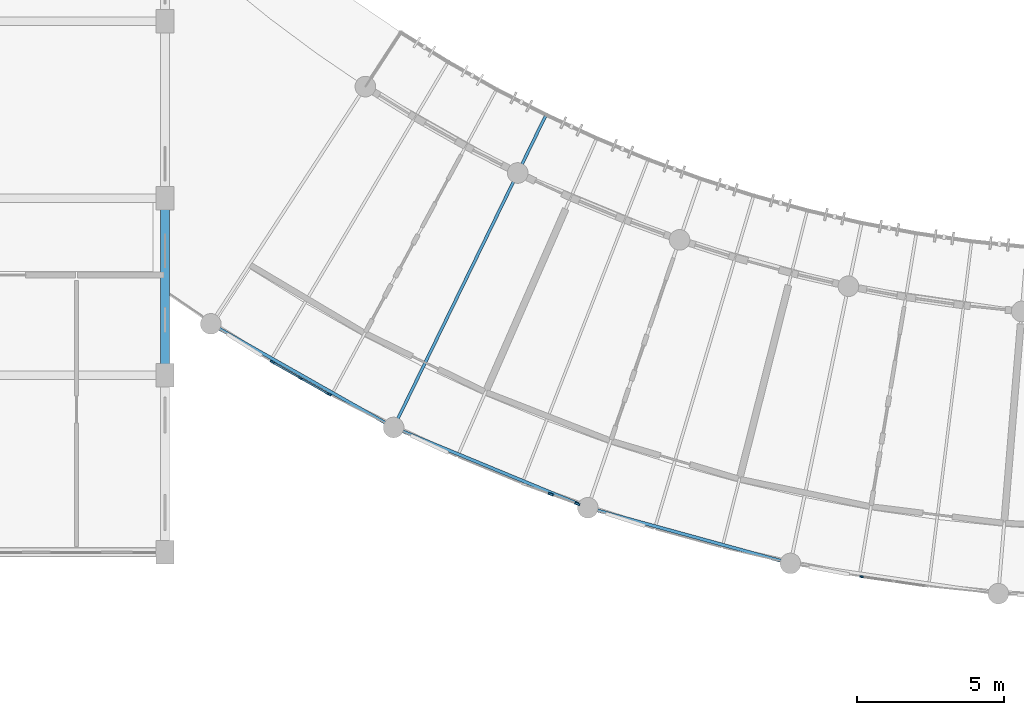
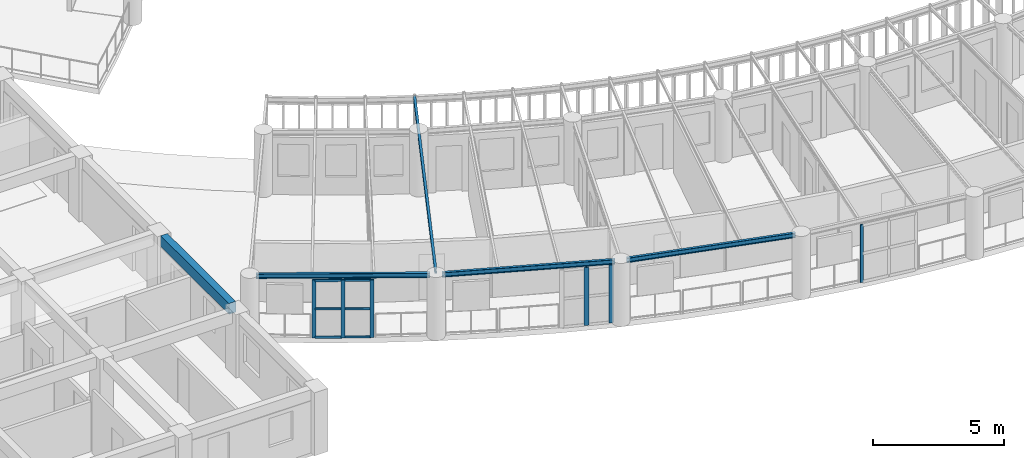
# One storey, part 15 of 137: 12 members, 5 beams, 3 elements without a shape of their own.
"""IFC4 building model written with IfcOpenShell, lengths in metres."""

from ifc_helpers import new_model, si_unit, direction, frame, origin, origin_2d, place, context, subcontext, project, spatial, rectangle, i_section, extrude, material, layer, layer_set, material_profile, profile_set, type_object, element, aggregate, save


model = new_model("IFC4")

# Units and contexts
model_context = context("Model", 3, precision=1e-05, world=origin(), true_north=direction((0.0, 1.0)))
body_context = subcontext(model_context, "Body", "Model", "MODEL_VIEW")
ifc_project = project(units=[si_unit("LENGTHUNIT", "METRE"), si_unit("AREAUNIT", "SQUARE_METRE"), si_unit("VOLUMEUNIT", "CUBIC_METRE"), si_unit("PLANEANGLEUNIT", "RADIAN"), si_unit("MASSUNIT", "GRAM", prefix="KILO"), si_unit("POWERUNIT", "WATT"), si_unit("THERMODYNAMICTEMPERATUREUNIT", "KELVIN")], contexts=[model_context])

# Site, building, storey
site_placement = place(None, origin())
site = spatial("IfcSite", under=ifc_project, at=site_placement, CompositionType="ELEMENT")
building_placement = place(site_placement, origin())
building = spatial("IfcBuilding", under=site, at=building_placement, Name="Ruvembo Vaulted Housing Court", CompositionType="ELEMENT")
storey_placement = place(building_placement, frame((0.0, 0.0, 4.5)))
storey = spatial("IfcBuildingStorey", under=building, at=storey_placement, Name="L01", CompositionType="ELEMENT", Elevation=4.5)

# Beams
ifc_material_1 = material(Name="Steel S355J2", Category="steel")
ifc_material_profile_1 = material_profile(ifc_material_1, i_section(OverallWidth=0.10009765625, OverallDepth=0.199951171875, WebThickness=0.005615234375, FlangeThickness=0.008544921875, FilletRadius=0.011962890625, at=origin_2d()), Name="IPE 200")
ifc_profile_set_1 = profile_set([ifc_material_profile_1], Name="Steel S355J2")
beam_type_1 = type_object("IfcBeamType", Name="BM-ST-IPE200", PredefinedType="BEAM", material=ifc_profile_set_1)
beam_1_placement = place(storey_placement, frame((43.8505859375, 10.436279296875, 2.840087890625), z_axis=(0.438385100915, 0.898787240283, 0.0), x_axis=(-0.898787240283, 0.438385100915, 0.0)))
element("IfcBeam", 1, at=beam_1_placement, inside=storey, type_object=beam_type_1, Name="Scoop SC2 L01 Radial Steel Joist 3", PredefinedType="BEAM", context=body_context, shape_type="SweptSolid", body=[
    extrude(i_section(OverallWidth=0.10009765625, OverallDepth=0.199951171875, WebThickness=0.005615234375, FlangeThickness=0.008544921875, FilletRadius=0.011962890625, at=origin_2d()), origin(), (0.0, 0.0, 1.0), 11.60986328125),
])
ifc_material_profile_2 = material_profile(ifc_material_1, i_section(OverallWidth=0.110107421875, OverallDepth=0.219970703125, WebThickness=0.005859375, FlangeThickness=0.00927734375, FilletRadius=0.011962890625, at=origin_2d()), Name="IPE 220")
ifc_profile_set_2 = profile_set([ifc_material_profile_2], Name="Steel S355J2")
beam_type_2 = type_object("IfcBeamType", Name="BM-ST-IPE220", PredefinedType="SPANDREL", material=ifc_profile_set_2)
for number, where, z_axis, x_axis, name in (
    (2, (37.752197265625, 13.62890625, 2.83203125), (0.869984993181, -0.493078200329, 0.0), (0.493078200329, 0.869984993181, 0.0), "Scoop SC2 L01 Chord Girder B0"),
    (3, (43.96240234375, 10.1416015625, 2.83203125), (0.924176536215, -0.381965613517, 0.0), (0.381965613517, 0.924176536215, 0.0), "Scoop SC2 L01 Chord Girder B3"),
):
    element("IfcBeam", number, at=place(storey_placement, frame(where, z_axis=z_axis, x_axis=x_axis)), inside=storey, type_object=beam_type_2, Name=name, PredefinedType="SPANDREL", context=body_context, shape_type="SweptSolid", body=[
        extrude(i_section(OverallWidth=0.110107421875, OverallDepth=0.219970703125, WebThickness=0.005859375, FlangeThickness=0.00927734375, FilletRadius=0.011962890625, at=origin_2d()), origin(), (0.0, 0.0, 1.0), 6.6640625),
    ])
beam_2_placement = place(storey_placement, frame((50.555419921875, 7.447509765625, 2.83203125), z_axis=(0.964261570592, -0.264952115445, 0.0), x_axis=(0.264952115445, 0.964261570592, 0.0)))
element("IfcBeam", 4, at=beam_2_placement, inside=storey, type_object=beam_type_2, Name="Scoop SC2 L01 Chord Girder B6", PredefinedType="SPANDREL", context=body_context, shape_type="SweptSolid", body=[
    extrude(i_section(OverallWidth=0.110107421875, OverallDepth=0.219970703125, WebThickness=0.005859375, FlangeThickness=0.00927734375, FilletRadius=0.011962890625, at=origin_2d()), origin(), (0.0, 0.0, 1.0), 6.663818359375),
])

# Curtain wall, member
ifc_material_2 = material(Name="Anodised Aluminium and Solar-Control Glass", Category="aluminium")
ifc_layer_1 = layer(ifc_material_2, 0.139892578125, Name="Anodised Aluminium and Solar-Control Glass")
ifc_layer_set_1 = layer_set([ifc_layer_1], Name="Anodised Aluminium and Solar-Control Glass")
curtain_wall_type_1 = type_object("IfcCurtainWallType", Name="CW-SCOOP-PAN", PredefinedType="NOTDEFINED", material=ifc_layer_set_1)
curtain_wall_1_placement = place(storey_placement, origin())
curtain_wall_1 = element("IfcCurtainWall", 5, at=curtain_wall_1_placement, inside=storey, type_object=curtain_wall_type_1, Name="L01 Curtain Wall CW-L01-0031", PredefinedType="NOTDEFINED")
ifc_material_3 = material(Name="Anodised Aluminium 6063-T6", Category="aluminium")
ifc_material_profile_3 = material_profile(ifc_material_3, rectangle(XDim=0.054931640625, YDim=0.1201171875, at=origin_2d()), Name="ALU 55x120")
ifc_profile_set_3 = profile_set([ifc_material_profile_3], Name="Anodised Aluminium 6063-T6")
member_type_1 = type_object("IfcMemberType", Name="CW-MUL-55x120", PredefinedType="MULLION", material=ifc_profile_set_3)
member_1_placement = place(storey_placement, frame((59.614990234375, 5.171142578125, 0.0), z_axis=(0.0, 0.0, 1.0), x_axis=(0.143850661969, 0.989599407362, 0.0)))
member_1 = element("IfcMember", 6, at=member_1_placement, type_object=member_type_1, Name="CW10 mullion 1", PredefinedType="MULLION", context=body_context, shape_type="SweptSolid", body=[
    extrude(rectangle(XDim=0.054931640625, YDim=0.1201171875, at=origin_2d()), origin(), (0.0, 0.0, 1.0), 2.697998046875),
])
aggregate(curtain_wall_1, [member_1])

# Curtain wall, members
ifc_layer_2 = layer(ifc_material_2, 0.1201171875, Name="Anodised Aluminium and Solar-Control Glass")
ifc_layer_set_2 = layer_set([ifc_layer_2], Name="Anodised Aluminium and Solar-Control Glass")
curtain_wall_type_2 = type_object("IfcCurtainWallType", Name="CW-SCOOP-GAL", PredefinedType="NOTDEFINED", material=ifc_layer_set_2)
curtain_wall_2_placement = place(storey_placement, origin())
curtain_wall_2 = element("IfcCurtainWall", 7, at=curtain_wall_2_placement, inside=storey, type_object=curtain_wall_type_2, Name="L01 Curtain Wall CW-L01-0030", PredefinedType="NOTDEFINED")
ifc_material_profile_4 = material_profile(ifc_material_3, rectangle(XDim=0.06494140625, YDim=0.179931640625, at=origin_2d()), Name="ALU 65x180")
ifc_profile_set_4 = profile_set([ifc_material_profile_4], Name="Anodised Aluminium 6063-T6")
member_type_2 = type_object("IfcMemberType", Name="CW-MUL-65x180", PredefinedType="MULLION", material=ifc_profile_set_4)
member_2_placement = place(storey_placement, frame((49.0771484375, 7.968017578125, 0.0), z_axis=(0.0, 0.0, 1.0), x_axis=(0.343530364672, 0.939141570025, 0.0)))
member_2 = element("IfcMember", 8, at=member_2_placement, type_object=member_type_2, Name="CW6 mullion 2", PredefinedType="MULLION", context=body_context, shape_type="SweptSolid", body=[
    extrude(rectangle(XDim=0.06494140625, YDim=0.179931640625, at=origin_2d()), origin(), (0.0, 0.0, 1.0), 2.697998046875),
])
member_3_placement = place(storey_placement, frame((49.974365234375, 7.6396484375, 0.0), z_axis=(0.0, 0.0, 1.0), x_axis=(0.343530364672, 0.939141570025, 0.0)))
member_3 = element("IfcMember", 9, at=member_3_placement, type_object=member_type_2, Name="CW6 mullion 3", PredefinedType="MULLION", context=body_context, shape_type="SweptSolid", body=[
    extrude(rectangle(XDim=0.06494140625, YDim=0.179931640625, at=origin_2d()), origin(), (0.0, 0.0, 1.0), 2.697998046875),
])
aggregate(curtain_wall_2, [member_2, member_3])

curtain_wall_3_placement = place(storey_placement, origin())
curtain_wall_3 = element("IfcCurtainWall", 10, at=curtain_wall_3_placement, inside=storey, type_object=curtain_wall_type_2, Name="L01 Curtain Wall CW-L01-0029", PredefinedType="NOTDEFINED")
ifc_material_profile_5 = material_profile(ifc_material_3, rectangle(XDim=0.06005859375, YDim=0.159912109375, at=origin_2d()), Name="ALU 60x160")
ifc_profile_set_5 = profile_set([ifc_material_profile_5], Name="Anodised Aluminium 6063-T6")
member_type_3 = type_object("IfcMemberType", Name="CW-MULLION-65x150", PredefinedType="MULLION", material=ifc_profile_set_5)
member_4_placement = place(storey_placement, frame((39.638916015625, 12.447021484375, 0.0), z_axis=(0.0, 0.0, 1.0), x_axis=(0.493079088202, 0.869984489964, 0.0)))
member_4 = element("IfcMember", 11, at=member_4_placement, type_object=member_type_3, Name="CW6 mullion 1", PredefinedType="MULLION", context=body_context, shape_type="SweptSolid", body=[
    extrude(rectangle(XDim=0.06005859375, YDim=0.159912109375, at=origin_2d()), origin(), (0.0, 0.0, 1.0), 2.697998046875),
])
member_5_placement = place(storey_placement, frame((40.602783203125, 11.900634765625, 0.0), z_axis=(0.0, 0.0, 1.0), x_axis=(0.493079088202, 0.869984489964, 0.0)))
member_5 = element("IfcMember", 12, at=member_5_placement, type_object=member_type_3, Name="CW6 mullion 2", PredefinedType="MULLION", context=body_context, shape_type="SweptSolid", body=[
    extrude(rectangle(XDim=0.06005859375, YDim=0.159912109375, at=origin_2d()), origin(), (0.0, 0.0, 1.0), 2.697998046875),
])
member_6_placement = place(storey_placement, frame((41.566650390625, 11.3544921875, 0.0), z_axis=(0.0, 0.0, 1.0), x_axis=(0.493079088202, 0.869984489964, 0.0)))
member_6 = element("IfcMember", 13, at=member_6_placement, type_object=member_type_3, Name="CW6 mullion 3", PredefinedType="MULLION", context=body_context, shape_type="SweptSolid", body=[
    extrude(rectangle(XDim=0.06005859375, YDim=0.159912109375, at=origin_2d()), origin(), (0.0, 0.0, 1.0), 2.697998046875),
])
ifc_material_profile_6 = material_profile(ifc_material_3, rectangle(XDim=0.06005859375, YDim=0.10009765625, at=origin_2d()), Name="ALU 60x100")
ifc_profile_set_6 = profile_set([ifc_material_profile_6], Name="Anodised Aluminium 6063-T6")
member_type_4 = type_object("IfcMemberType", Name="CW-TRN-60x100", PredefinedType="USERDEFINED", material=ifc_profile_set_6)
member_7_placement = place(storey_placement, frame((39.664794921875, 12.43212890625, 0.030029296875), z_axis=(0.870072141445, -0.492924404631, 0.0), x_axis=(0.492924404631, 0.870072141445, 0.0)))
member_7 = element("IfcMember", 14, at=member_7_placement, type_object=member_type_4, Name="CW6 transom 1.1", ObjectType="TRANSOM", PredefinedType="USERDEFINED", context=body_context, shape_type="SweptSolid", body=[
    extrude(rectangle(XDim=0.06005859375, YDim=0.10009765625, at=origin_2d()), origin(), (0.0, 0.0, 1.0), 1.048095703125),
])
member_8_placement = place(storey_placement, frame((39.664794921875, 12.43212890625, 1.34912109375), z_axis=(0.870072141445, -0.492924404631, 0.0), x_axis=(0.492924404631, 0.870072141445, 0.0)))
member_8 = element("IfcMember", 15, at=member_8_placement, type_object=member_type_4, Name="CW6 transom 1.2", ObjectType="TRANSOM", PredefinedType="USERDEFINED", context=body_context, shape_type="SweptSolid", body=[
    extrude(rectangle(XDim=0.06005859375, YDim=0.10009765625, at=origin_2d()), origin(), (0.0, 0.0, 1.0), 1.048095703125),
])
member_9_placement = place(storey_placement, frame((39.664794921875, 12.43212890625, 2.66796875), z_axis=(0.870072141445, -0.492924404631, 0.0), x_axis=(0.492924404631, 0.870072141445, 0.0)))
member_9 = element("IfcMember", 16, at=member_9_placement, type_object=member_type_4, Name="CW6 transom 1.3", ObjectType="TRANSOM", PredefinedType="USERDEFINED", context=body_context, shape_type="SweptSolid", body=[
    extrude(rectangle(XDim=0.06005859375, YDim=0.10009765625, at=origin_2d()), origin(), (0.0, 0.0, 1.0), 1.048095703125),
])
member_10_placement = place(storey_placement, frame((40.62890625, 11.885986328125, 0.030029296875), z_axis=(0.869915574686, -0.49320066192, 0.0), x_axis=(0.49320066192, 0.869915574686, 0.0)))
member_10 = element("IfcMember", 17, at=member_10_placement, type_object=member_type_4, Name="CW6 transom 2.1", ObjectType="TRANSOM", PredefinedType="USERDEFINED", context=body_context, shape_type="SweptSolid", body=[
    extrude(rectangle(XDim=0.06005859375, YDim=0.10009765625, at=origin_2d()), origin(), (0.0, 0.0, 1.0), 1.0478515625),
])
member_11_placement = place(storey_placement, frame((40.62890625, 11.885986328125, 1.34912109375), z_axis=(0.869915574686, -0.49320066192, 0.0), x_axis=(0.49320066192, 0.869915574686, 0.0)))
member_11 = element("IfcMember", 18, at=member_11_placement, type_object=member_type_4, Name="CW6 transom 2.2", ObjectType="TRANSOM", PredefinedType="USERDEFINED", context=body_context, shape_type="SweptSolid", body=[
    extrude(rectangle(XDim=0.06005859375, YDim=0.10009765625, at=origin_2d()), origin(), (0.0, 0.0, 1.0), 1.0478515625),
])
member_12_placement = place(storey_placement, frame((40.62890625, 11.885986328125, 2.66796875), z_axis=(0.869915574686, -0.49320066192, 0.0), x_axis=(0.49320066192, 0.869915574686, 0.0)))
member_12 = element("IfcMember", 19, at=member_12_placement, type_object=member_type_4, Name="CW6 transom 2.3", ObjectType="TRANSOM", PredefinedType="USERDEFINED", context=body_context, shape_type="SweptSolid", body=[
    extrude(rectangle(XDim=0.06005859375, YDim=0.10009765625, at=origin_2d()), origin(), (0.0, 0.0, 1.0), 1.0478515625),
])
aggregate(curtain_wall_3, [member_4, member_5, member_6, member_7, member_8, member_9, member_10, member_11, member_12])

# Beam
ifc_material_4 = material(Name="Concrete C35/45", Category="concrete")
ifc_material_profile_7 = material_profile(ifc_material_4, rectangle(XDim=0.300048828125, YDim=0.5, at=origin_2d()), Name="RC 300x500")
ifc_profile_set_7 = profile_set([ifc_material_profile_7], Name="Concrete C35/45")
beam_type_3 = type_object("IfcBeamType", Name="SP-RC-300x500", PredefinedType="SPANDREL", material=ifc_profile_set_7)
beam_3_placement = place(storey_placement, frame((36.0, 12.385009765625, 2.695068359375), z_axis=(0.0, 1.0, 0.0), x_axis=(-1.0, 0.0, 0.0)))
element("IfcBeam", 20, at=beam_3_placement, inside=storey, type_object=beam_type_3, Name="L01 Grid Beam Y #1338", PredefinedType="SPANDREL", context=body_context, shape_type="SweptSolid", body=[
    extrude(rectangle(XDim=0.300048828125, YDim=0.5, at=origin_2d()), origin(), (0.0, 0.0, 1.0), 5.22998046875),
])

save(model, "model.ifc")
